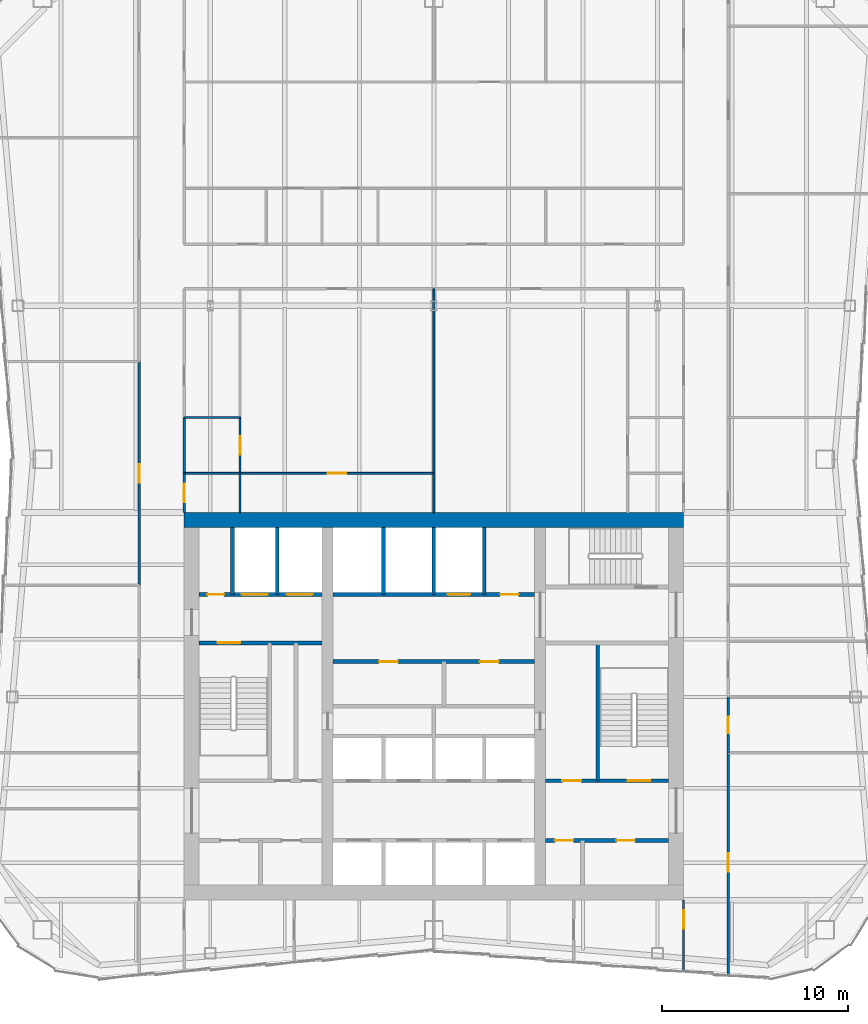
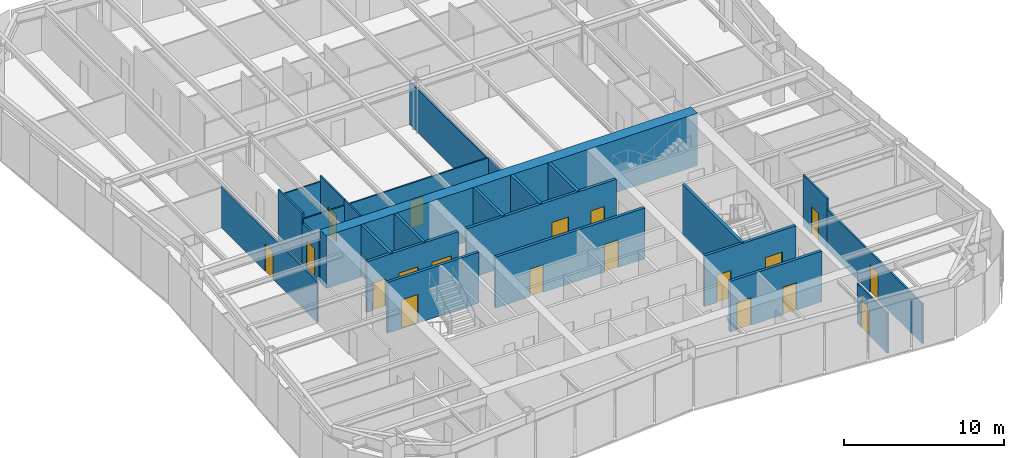
# One storey, part 7 of 12: 26 walls, 19 doors, 19 openings.
"""IFC4 building model written with IfcOpenShell, lengths in metres."""

import ifcopenshell
import ifcopenshell.guid

model = None  # the IFC model being written
_history = None  # IfcOwnerHistory: only IFC2X3 demands one
_inside = {}  # id of a spatial element -> (the spatial element, [elements in it])
_under = {}  # id of a project, library or spatial element -> (it, [spatial elements below it])
_declared = {}  # id of a project -> (the project, [libraries it declares])
_typed = {}  # id of a type object -> (the type object, [elements of that type])
_made_of = {}  # id of a material, layer set ... -> (it, [elements and type objects made of it])


def new_model(schema):
    """Start an empty IFC model of exactly this schema.

    Asked for "IFC4X3", IfcOpenShell would pick the latest addendum, in which some entities
    have other attributes; the version numbers below select the first issue.
    IFC2X3 requires an IfcOwnerHistory on every rooted entity: one is made here for all.
    """
    global model, _history
    if schema == "IFC4X3":
        model = ifcopenshell.file(schema_version=(4, 3, 0, 0))
    else:
        model = ifcopenshell.file(schema=schema)
    _inside.clear()
    _under.clear()
    _declared.clear()
    _typed.clear()
    _made_of.clear()
    _history = None
    if model.schema == "IFC2X3":
        org = make("IfcOrganization", Name="unknown")
        user = make(
            "IfcPersonAndOrganization",
            ThePerson=make("IfcPerson", FamilyName="unknown"),
            TheOrganization=org,
        )
        app = make(
            "IfcApplication",
            ApplicationDeveloper=org,
            Version="unknown",
            ApplicationFullName="unknown",
            ApplicationIdentifier="unknown",
        )
        _history = make(
            "IfcOwnerHistory",
            OwningUser=user,
            OwningApplication=app,
            ChangeAction="ADDED",
            CreationDate=0,
        )
    return model


def make(cls, **values):
    """One entity of the class cls with the attributes given. An attribute that is None is left unset."""
    return model.create_entity(
        cls, **{name: value for name, value in values.items() if value is not None}
    )


def rooted(cls, **values):
    """An entity with a GlobalId (a new one), such as an element, a storey or a relation."""
    return make(cls, GlobalId=ifcopenshell.guid.new(), OwnerHistory=_history, **values)


def si_unit(unit_type, name, prefix=None):
    """IfcSIUnit, for example si_unit("LENGTHUNIT", "METRE", prefix="MILLI")."""
    return make("IfcSIUnit", UnitType=unit_type, Prefix=prefix, Name=name)


def assignment(units):
    """IfcUnitAssignment: the units of a project."""
    return None if units is None else make("IfcUnitAssignment", Units=units)


def point(xyz):
    """IfcCartesianPoint."""
    return None if xyz is None else make("IfcCartesianPoint", Coordinates=xyz)


def direction(xyz):
    """IfcDirection."""
    return None if xyz is None else make("IfcDirection", DirectionRatios=xyz)


def frame(location, z_axis=None, x_axis=None):
    """IfcAxis2Placement3D, a coordinate frame: its origin and axes. An axis left out is left unset."""
    return make(
        "IfcAxis2Placement3D",
        Location=point(location),
        Axis=direction(z_axis),
        RefDirection=direction(x_axis),
    )


def frame_2d(location, x_axis=None):
    """IfcAxis2Placement2D, a coordinate frame in the plane: its origin and x axis."""
    return make(
        "IfcAxis2Placement2D", Location=point(location), RefDirection=direction(x_axis)
    )


def origin():
    """The frame at (0, 0, 0) with its axes left unset."""
    return frame((0.0, 0.0, 0.0))


def place(relative_to, where):
    """IfcLocalPlacement: puts the frame where relative to a parent placement (None: the world)."""
    return make(
        "IfcLocalPlacement", PlacementRelTo=relative_to, RelativePlacement=where
    )


def context(
    kind, dimensions, precision=None, world=None, true_north=None, identifier=None
):
    """IfcGeometricRepresentationContext, for example the 3D "Model" context."""
    return make(
        "IfcGeometricRepresentationContext",
        ContextIdentifier=identifier,
        ContextType=kind,
        CoordinateSpaceDimension=dimensions,
        Precision=precision,
        WorldCoordinateSystem=world,
        TrueNorth=true_north,
    )


def subcontext(parent, identifier, kind, view, scale=None):
    """IfcGeometricRepresentationSubContext, for example "Body" below "Model"."""
    return make(
        "IfcGeometricRepresentationSubContext",
        ContextIdentifier=identifier,
        ContextType=kind,
        ParentContext=parent,
        TargetScale=scale,
        TargetView=view,
    )


def project(units=None, contexts=None):
    """IfcProject with its units and contexts."""
    return rooted(
        "IfcProject",
        Name="project",
        RepresentationContexts=contexts,
        UnitsInContext=assignment(units),
    )


def spatial(cls, under=None, at=None, **own):
    """A site, building, storey or space (cls), placed at a placement, below another one or the project."""
    s = rooted(cls, ObjectPlacement=at, **own)
    if under is not None:
        _under.setdefault(under.id(), (under, []))[1].append(s)
    return s


def profile(cls, at=None, kind="AREA", **sizes):
    """A parametric profile (cls). Its sizes go by their IFC names, for example OverallWidth=200.0."""
    return make(cls, ProfileType=kind, Position=at, **sizes)


def rectangle(**sizes):
    """IfcRectangleProfileDef."""
    return profile("IfcRectangleProfileDef", **sizes)


def extrude(swept, where, along, depth):
    """IfcExtrudedAreaSolid: the profile swept, set in the frame where, extruded along a direction by depth."""
    return make(
        "IfcExtrudedAreaSolid",
        SweptArea=swept,
        Position=where,
        ExtrudedDirection=direction(along),
        Depth=depth,
    )


def shape(context_of_items, identifier, shape_type, items):
    """IfcShapeRepresentation: the items that make up one representation, for example the "Body"."""
    return make(
        "IfcShapeRepresentation",
        ContextOfItems=context_of_items,
        RepresentationIdentifier=identifier,
        RepresentationType=shape_type,
        Items=items,
    )


def material(Name=None, Category=None):
    """IfcMaterial."""
    return make("IfcMaterial", Name=Name, Category=Category)


def layer(
    of_material, thickness, ventilated=None, Name=None, Category=None, Priority=None
):
    """IfcMaterialLayer: one layer of a wall or slab, of a material (None: an air gap)."""
    return make(
        "IfcMaterialLayer",
        Material=of_material,
        LayerThickness=thickness,
        IsVentilated=ventilated,
        Name=Name,
        Category=Category,
        Priority=Priority,
    )


def layer_set(layers, Name=None):
    """IfcMaterialLayerSet."""
    return make("IfcMaterialLayerSet", MaterialLayers=layers, LayerSetName=Name)


def made_of(thing, what):
    """Note that an element or type object is made of a material, layer set ...; save() writes the relation."""
    if what is not None:
        _made_of.setdefault(what.id(), (what, []))[1].append(thing)
    return thing


def type_object(cls, material=None, **own):
    """A type object (cls), such as IfcWallType, which elements share."""
    return made_of(rooted(cls, **own), material)


def element(
    cls,
    number,
    at=None,
    inside=None,
    cuts=None,
    type_object=None,
    material=None,
    context=None,
    identifier="Body",
    shape_type=None,
    held_by="IfcProductDefinitionShape",
    body=None,
    shapes=None,
    **own,
):
    """One element of the class cls, such as IfcWall. Its Tag is "e" and its number.

    at: its placement. inside: the storey or other place that contains it. cuts: it is an
    opening in that element (IfcRelVoidsElement). A single representation is given by context,
    identifier, shape_type and body (its items); several are given by shapes. held_by: the class
    of the entity that holds the representations. save() writes the other relations.
    """
    e = rooted(cls, Tag="e%d" % number, ObjectPlacement=at, **own)
    if body is not None:
        shapes = [shape(context, identifier, shape_type, body)]
    if shapes is not None:
        e.Representation = make(held_by, Representations=shapes)
    if inside is not None:
        _inside.setdefault(inside.id(), (inside, []))[1].append(e)
    if cuts is not None:
        rooted(
            "IfcRelVoidsElement", RelatingBuildingElement=cuts, RelatedOpeningElement=e
        )
    if type_object is not None:
        _typed.setdefault(type_object.id(), (type_object, []))[1].append(e)
    return made_of(e, material)


def fill(opening, filler):
    """IfcRelFillsElement: the door or window that sits in an opening."""
    return rooted(
        "IfcRelFillsElement",
        RelatingOpeningElement=opening,
        RelatedBuildingElement=filler,
    )


def aggregate(whole, parts):
    """IfcRelAggregates: a whole, such as a stair, and the parts it consists of."""
    return rooted("IfcRelAggregates", RelatingObject=whole, RelatedObjects=parts)


def save(model, path):
    """Write the relations noted so far, then the file.

    IfcRelAggregates (storeys below a building ...), IfcRelContainedInSpatialStructure (elements
    in a storey), IfcRelDefinesByType, IfcRelAssociatesMaterial and IfcRelDeclares: one each for
    every whole, place, type object, material and project.
    """
    for whole, parts in _under.values():
        aggregate(whole, parts)
    for where, things in _inside.values():
        rooted(
            "IfcRelContainedInSpatialStructure",
            RelatedElements=things,
            RelatingStructure=where,
        )
    for kind, things in _typed.values():
        rooted("IfcRelDefinesByType", RelatedObjects=things, RelatingType=kind)
    for what, things in _made_of.values():
        rooted("IfcRelAssociatesMaterial", RelatedObjects=things, RelatingMaterial=what)
    for by, libraries in _declared.values():
        rooted("IfcRelDeclares", RelatingContext=by, RelatedDefinitions=libraries)
    model.write(path)


model = new_model("IFC4")

# Units and contexts
model_context = context("Model", 3, precision=1e-05, world=origin(), true_north=direction((0.0, 1.0)))
body_context = subcontext(model_context, "Body", "Model", "MODEL_VIEW")
ifc_project = project(units=[si_unit("LENGTHUNIT", "METRE"), si_unit("AREAUNIT", "SQUARE_METRE"), si_unit("VOLUMEUNIT", "CUBIC_METRE"), si_unit("PLANEANGLEUNIT", "RADIAN"), si_unit("MASSUNIT", "GRAM", prefix="KILO")], contexts=[model_context])

# Site, building, storey
site_placement = place(None, origin())
site = spatial("IfcSite", under=ifc_project, at=site_placement, CompositionType="ELEMENT")
building_placement = place(site_placement, origin())
building = spatial("IfcBuilding", under=site, at=building_placement, Name="Verdant Reach Tower", CompositionType="ELEMENT")
storey_placement = place(building_placement, frame((0.0, 0.0, 242.0)))
storey = spatial("IfcBuildingStorey", under=building, at=storey_placement, Name="L55", CompositionType="ELEMENT", Elevation=242.0)

# Wall, openings, doors
ifc_material_1 = material(Name="Gypsum board on steel studs", Category="steel")
ifc_layer_1 = layer(ifc_material_1, 0.199951171875)
ifc_layer_set_1 = layer_set([ifc_layer_1], Name="CO-WALL-ROOM")
wall_type_1 = type_object("IfcWallType", Name="CO-WALL-ROOM", PredefinedType="PARTITIONING", material=ifc_layer_set_1)
wall_1_placement = place(storey_placement, frame((6.0, 20.800048828125, 0.0), z_axis=(0.0, 0.0, 1.0), x_axis=(1.0, 0.0, 0.0)))
wall_1 = element("IfcWall", 1, at=wall_1_placement, inside=storey, type_object=wall_type_1, Name="Core partition, L55", PredefinedType="PARTITIONING", context=body_context, shape_type="SweptSolid", body=[
    extrude(rectangle(XDim=6.60009765625, YDim=0.199951171875, at=frame_2d((3.300048828125, 0.0))), origin(), (0.0, 0.0, 1.0), 3.8701171875),
])
opening_1_placement = place(wall_1_placement, frame((0.489990234375, 0.0, 0.0)))
opening_1 = element("IfcOpeningElement", 2, at=opening_1_placement, cuts=wall_1, Name="Opening CD", PredefinedType="OPENING", context=body_context, shape_type="SweptSolid", body=[
    extrude(rectangle(XDim=1.0, YDim=2.10009765625, at=frame_2d((0.5, 1.050048828125))), frame((0.0, 0.10986328125, 0.0), z_axis=(0.0, -1.0, 0.0), x_axis=(1.0, 0.0, 0.0)), (0.0, 0.0, 1.0), 0.219970703125),
])
opening_2_placement = place(wall_1_placement, frame((3.7900390625, 0.0, 0.0)))
opening_2 = element("IfcOpeningElement", 3, at=opening_2_placement, cuts=wall_1, Name="Opening CD", PredefinedType="OPENING", context=body_context, shape_type="SweptSolid", body=[
    extrude(rectangle(XDim=1.0, YDim=2.10009765625, at=frame_2d((0.5, 1.050048828125))), frame((0.0, 0.10986328125, 0.0), z_axis=(0.0, -1.0, 0.0), x_axis=(1.0, 0.0, 0.0)), (0.0, 0.0, 1.0), 0.219970703125),
])
ifc_material_2 = material(Name="Timber", Category="wood")
door_type_1 = type_object("IfcDoorType", Name="CO-DOOR-ROOM", OperationType="NOTDEFINED", PredefinedType="DOOR", material=ifc_material_2)
door_1_placement = place(opening_1_placement, origin())
door_1 = element("IfcDoor", 4, at=door_1_placement, inside=storey, type_object=door_type_1, Name="Core room door, L55", OperationType="SINGLE_SWING_RIGHT", OverallHeight=2.10009765625, OverallWidth=1.0, PredefinedType="DOOR", context=body_context, shape_type="SweptSolid", body=[
    extrude(rectangle(XDim=1.0, YDim=2.10009765625, at=frame_2d((0.5, 1.050048828125))), frame((0.0, 0.02490234375, 0.0), z_axis=(0.0, -1.0, 0.0), x_axis=(1.0, 0.0, 0.0)), (0.0, 0.0, 1.0), 0.050048828125),
])
fill(opening_1, door_1)
door_2_placement = place(opening_2_placement, origin())
door_2 = element("IfcDoor", 5, at=door_2_placement, inside=storey, type_object=door_type_1, Name="Core room door, L55", OperationType="SINGLE_SWING_RIGHT", OverallHeight=2.10009765625, OverallWidth=1.0, PredefinedType="DOOR", context=body_context, shape_type="SweptSolid", body=[
    extrude(rectangle(XDim=1.0, YDim=2.10009765625, at=frame_2d((0.5, 1.050048828125))), frame((0.0, 0.02490234375, 0.0), z_axis=(0.0, -1.0, 0.0), x_axis=(1.0, 0.0, 0.0)), (0.0, 0.0, 1.0), 0.050048828125),
])
fill(opening_2, door_2)

wall_2_placement = place(storey_placement, frame((-5.39990234375, 30.39990234375, 0.0), z_axis=(0.0, 0.0, 1.0), x_axis=(1.0, 0.0, 0.0)))
wall_2 = element("IfcWall", 6, at=wall_2_placement, inside=storey, type_object=wall_type_1, Name="Core partition, L55", PredefinedType="PARTITIONING", context=body_context, shape_type="SweptSolid", body=[
    extrude(rectangle(XDim=10.7998046875, YDim=0.199951171875, at=frame_2d((5.39990234375, 0.0))), origin(), (0.0, 0.0, 1.0), 3.8701171875),
])
opening_3_placement = place(wall_2_placement, frame((2.469970703125, 0.0, 0.0)))
opening_3 = element("IfcOpeningElement", 7, at=opening_3_placement, cuts=wall_2, Name="Opening CD", PredefinedType="OPENING", context=body_context, shape_type="SweptSolid", body=[
    extrude(rectangle(XDim=1.0, YDim=2.10009765625, at=frame_2d((0.5, 1.050048828125))), frame((0.0, 0.10986328125, 0.0), z_axis=(0.0, -1.0, 0.0), x_axis=(1.0, 0.0, 0.0)), (0.0, 0.0, 1.0), 0.219970703125),
])
opening_4_placement = place(wall_2_placement, frame((7.8701171875, 0.0, 0.0)))
opening_4 = element("IfcOpeningElement", 8, at=opening_4_placement, cuts=wall_2, Name="Opening CD", PredefinedType="OPENING", context=body_context, shape_type="SweptSolid", body=[
    extrude(rectangle(XDim=1.0, YDim=2.10009765625, at=frame_2d((0.5, 1.050048828125))), frame((0.0, 0.10986328125, 0.0), z_axis=(0.0, -1.0, 0.0), x_axis=(1.0, 0.0, 0.0)), (0.0, 0.0, 1.0), 0.219970703125),
])
door_3_placement = place(opening_3_placement, origin())
door_3 = element("IfcDoor", 9, at=door_3_placement, inside=storey, type_object=door_type_1, Name="Core room door, L55", OperationType="SINGLE_SWING_RIGHT", OverallHeight=2.10009765625, OverallWidth=1.0, PredefinedType="DOOR", context=body_context, shape_type="SweptSolid", body=[
    extrude(rectangle(XDim=1.0, YDim=2.10009765625, at=frame_2d((0.5, 1.050048828125))), frame((0.0, 0.02490234375, 0.0), z_axis=(0.0, -1.0, 0.0), x_axis=(1.0, 0.0, 0.0)), (0.0, 0.0, 1.0), 0.050048828125),
])
fill(opening_3, door_3)
door_4_placement = place(opening_4_placement, origin())
door_4 = element("IfcDoor", 10, at=door_4_placement, inside=storey, type_object=door_type_1, Name="Core room door, L55", OperationType="SINGLE_SWING_LEFT", OverallHeight=2.10009765625, OverallWidth=1.0, PredefinedType="DOOR", context=body_context, shape_type="SweptSolid", body=[
    extrude(rectangle(XDim=1.0, YDim=2.10009765625, at=frame_2d((0.5, 1.050048828125))), frame((0.0, 0.02490234375, 0.0), z_axis=(0.0, -1.0, 0.0), x_axis=(1.0, 0.0, 0.0)), (0.0, 0.0, 1.0), 0.050048828125),
])
fill(opening_4, door_4)

ifc_material_3 = material(Name="Concrete C40/50", Category="concrete")
ifc_layer_2 = layer(ifc_material_3, 0.199951171875)
ifc_layer_set_2 = layer_set([ifc_layer_2], Name="CO-WALL-SHAFT")
wall_type_2 = type_object("IfcWallType", Name="CO-WALL-SHAFT", PredefinedType="PARTITIONING", material=ifc_layer_set_2)
wall_3_placement = place(storey_placement, frame((-12.60009765625, 34.0, 0.0), z_axis=(0.0, 0.0, 1.0), x_axis=(1.0, 0.0, 0.0)))
wall_3 = element("IfcWall", 11, at=wall_3_placement, inside=storey, type_object=wall_type_2, Name="Lift shaft wall, L55", PredefinedType="PARTITIONING", context=body_context, shape_type="SweptSolid", body=[
    extrude(rectangle(XDim=6.60009765625, YDim=0.199951171875, at=frame_2d((3.300048828125, 0.0))), origin(), (0.0, 0.0, 1.0), 3.8701171875),
])
opening_5_placement = place(wall_3_placement, frame((4.699951171875, 0.0, 0.0)))
opening_5 = element("IfcOpeningElement", 12, at=opening_5_placement, cuts=wall_3, Name="Opening LD-F1", PredefinedType="OPENING", context=body_context, shape_type="SweptSolid", body=[
    extrude(rectangle(XDim=1.39990234375, YDim=2.199951171875, at=frame_2d((0.699951171875, 1.10009765625))), frame((0.0, 0.10986328125, 0.0), z_axis=(0.0, -1.0, 0.0), x_axis=(1.0, 0.0, 0.0)), (0.0, 0.0, 1.0), 0.219970703125),
])
opening_6_placement = place(wall_3_placement, frame((2.300048828125, 0.0, 0.0)))
opening_6 = element("IfcOpeningElement", 13, at=opening_6_placement, cuts=wall_3, Name="Opening LD-F2", PredefinedType="OPENING", context=body_context, shape_type="SweptSolid", body=[
    extrude(rectangle(XDim=1.39990234375, YDim=2.199951171875, at=frame_2d((0.699951171875, 1.10009765625))), frame((0.0, 0.10986328125, 0.0), z_axis=(0.0, -1.0, 0.0), x_axis=(1.0, 0.0, 0.0)), (0.0, 0.0, 1.0), 0.219970703125),
])
opening_7_placement = place(wall_3_placement, frame((0.449951171875, 0.0, 0.0)))
opening_7 = element("IfcOpeningElement", 14, at=opening_7_placement, cuts=wall_3, Name="Opening RD", PredefinedType="OPENING", context=body_context, shape_type="SweptSolid", body=[
    extrude(rectangle(XDim=0.89990234375, YDim=2.10009765625, at=frame_2d((0.449951171875, 1.050048828125))), frame((0.0, 0.10986328125, 0.0), z_axis=(0.0, -1.0, 0.0), x_axis=(1.0, 0.0, 0.0)), (0.0, 0.0, 1.0), 0.219970703125),
])
ifc_material_4 = material(Name="Stainless steel", Category="steel")
door_type_2 = type_object("IfcDoorType", Name="CO-DOOR-LANDING-FF", OperationType="SLIDING_TO_LEFT", PredefinedType="DOOR", material=ifc_material_4)
door_5_placement = place(opening_5_placement, origin())
door_5 = element("IfcDoor", 15, at=door_5_placement, inside=storey, type_object=door_type_2, Name="Landing door F1, L55", OperationType="SLIDING_TO_LEFT", OverallHeight=2.199951171875, OverallWidth=1.39990234375, PredefinedType="DOOR", context=body_context, shape_type="SweptSolid", body=[
    extrude(rectangle(XDim=1.39990234375, YDim=2.199951171875, at=frame_2d((0.699951171875, 1.10009765625))), frame((0.0, 0.02490234375, 0.0), z_axis=(0.0, -1.0, 0.0), x_axis=(1.0, 0.0, 0.0)), (0.0, 0.0, 1.0), 0.050048828125),
])
fill(opening_5, door_5)
door_6_placement = place(opening_6_placement, origin())
door_6 = element("IfcDoor", 16, at=door_6_placement, inside=storey, type_object=door_type_2, Name="Landing door F2, L55", OperationType="SLIDING_TO_LEFT", OverallHeight=2.199951171875, OverallWidth=1.39990234375, PredefinedType="DOOR", context=body_context, shape_type="SweptSolid", body=[
    extrude(rectangle(XDim=1.39990234375, YDim=2.199951171875, at=frame_2d((0.699951171875, 1.10009765625))), frame((0.0, 0.02490234375, 0.0), z_axis=(0.0, -1.0, 0.0), x_axis=(1.0, 0.0, 0.0)), (0.0, 0.0, 1.0), 0.050048828125),
])
fill(opening_6, door_6)
ifc_material_5 = material(Name="Steel", Category="steel")
door_type_3 = type_object("IfcDoorType", Name="CO-DOOR-RISER", OperationType="NOTDEFINED", PredefinedType="DOOR", material=ifc_material_5)
door_7_placement = place(opening_7_placement, origin())
door_7 = element("IfcDoor", 17, at=door_7_placement, inside=storey, type_object=door_type_3, Name="Core room door, L55", OperationType="SINGLE_SWING_RIGHT", OverallHeight=2.10009765625, OverallWidth=0.89990234375, PredefinedType="DOOR", context=body_context, shape_type="SweptSolid", body=[
    extrude(rectangle(XDim=0.89990234375, YDim=2.10009765625, at=frame_2d((0.449951171875, 1.050048828125))), frame((0.0, 0.02490234375, 0.0), z_axis=(0.0, -1.0, 0.0), x_axis=(1.0, 0.0, 0.0)), (0.0, 0.0, 1.0), 0.050048828125),
])
fill(opening_7, door_7)

wall_4_placement = place(storey_placement, frame((-5.39990234375, 34.0, 0.0), z_axis=(0.0, 0.0, 1.0), x_axis=(1.0, 0.0, 0.0)))
wall_4 = element("IfcWall", 18, at=wall_4_placement, inside=storey, type_object=wall_type_2, Name="Lift shaft wall, L55", PredefinedType="PARTITIONING", context=body_context, shape_type="SweptSolid", body=[
    extrude(rectangle(XDim=10.7998046875, YDim=0.199951171875, at=frame_2d((5.39990234375, 0.0))), origin(), (0.0, 0.0, 1.0), 3.8701171875),
])
opening_8_placement = place(wall_4_placement, frame((6.14990234375, 0.0, 0.0)))
opening_8 = element("IfcOpeningElement", 19, at=opening_8_placement, cuts=wall_4, Name="Opening LD-SL1", PredefinedType="OPENING", context=body_context, shape_type="SweptSolid", body=[
    extrude(rectangle(XDim=1.199951171875, YDim=2.199951171875, at=frame_2d((0.60009765625, 1.10009765625))), frame((0.0, 0.10986328125, 0.0), z_axis=(0.0, -1.0, 0.0), x_axis=(1.0, 0.0, 0.0)), (0.0, 0.0, 1.0), 0.219970703125),
])
opening_9_placement = place(wall_4_placement, frame((8.949951171875, 0.0, 0.0)))
opening_9 = element("IfcOpeningElement", 20, at=opening_9_placement, cuts=wall_4, Name="Opening CD", PredefinedType="OPENING", context=body_context, shape_type="SweptSolid", body=[
    extrude(rectangle(XDim=1.0, YDim=2.10009765625, at=frame_2d((0.5, 1.050048828125))), frame((0.0, 0.10986328125, 0.0), z_axis=(0.0, -1.0, 0.0), x_axis=(1.0, 0.0, 0.0)), (0.0, 0.0, 1.0), 0.219970703125),
])
door_type_4 = type_object("IfcDoorType", Name="CO-DOOR-LANDING", OperationType="SLIDING_TO_LEFT", PredefinedType="DOOR", material=ifc_material_4)
door_8_placement = place(opening_8_placement, origin())
door_8 = element("IfcDoor", 21, at=door_8_placement, inside=storey, type_object=door_type_4, Name="Landing door SL1, L55", OperationType="SLIDING_TO_LEFT", OverallHeight=2.199951171875, OverallWidth=1.199951171875, PredefinedType="DOOR", context=body_context, shape_type="SweptSolid", body=[
    extrude(rectangle(XDim=1.199951171875, YDim=2.199951171875, at=frame_2d((0.60009765625, 1.10009765625))), frame((0.0, 0.02490234375, 0.0), z_axis=(0.0, -1.0, 0.0), x_axis=(1.0, 0.0, 0.0)), (0.0, 0.0, 1.0), 0.050048828125),
])
fill(opening_8, door_8)
door_9_placement = place(opening_9_placement, origin())
door_9 = element("IfcDoor", 22, at=door_9_placement, inside=storey, type_object=door_type_1, Name="Core room door, L55", OperationType="SINGLE_SWING_LEFT", OverallHeight=2.10009765625, OverallWidth=1.0, PredefinedType="DOOR", context=body_context, shape_type="SweptSolid", body=[
    extrude(rectangle(XDim=1.0, YDim=2.10009765625, at=frame_2d((0.5, 1.050048828125))), frame((0.0, 0.02490234375, 0.0), z_axis=(0.0, -1.0, 0.0), x_axis=(1.0, 0.0, 0.0)), (0.0, 0.0, 1.0), 0.050048828125),
])
fill(opening_9, door_9)

# Walls
for number, where, z_axis, x_axis, name in (
    (23, (-10.800048828125, 34.0, 0.0), (0.0, 0.0, 1.0), (0.0, 1.0, 0.0), "Lift shaft wall, L55"),
    (24, (-8.39990234375, 34.0, 0.0), (0.0, 0.0, 1.0), (0.0, 1.0, 0.0), "Lift shaft wall, L55"),
    (25, (-2.699951171875, 34.0, 0.0), (0.0, 0.0, 1.0), (0.0, 1.0, 0.0), "Lift shaft wall, L55"),
    (26, (0.0, 34.0, 0.0), (0.0, 0.0, 1.0), (0.0, 1.0, 0.0), "Lift shaft wall, L55"),
    (27, (2.699951171875, 34.0, 0.0), (0.0, 0.0, 1.0), (0.0, 1.0, 0.0), "Lift shaft wall, L55"),
):
    element("IfcWall", number, at=place(storey_placement, frame(where, z_axis=z_axis, x_axis=x_axis)), inside=storey, type_object=wall_type_2, Name=name, PredefinedType="PARTITIONING", context=body_context, shape_type="SweptSolid", body=[
        extrude(rectangle(XDim=3.60009765625, YDim=0.199951171875, at=frame_2d((1.800048828125, 0.0))), origin(), (0.0, 0.0, 1.0), 3.8701171875),
    ])

# Wall, openings, doors
ifc_layer_3 = layer(ifc_material_3, 0.199951171875)
ifc_layer_set_3 = layer_set([ifc_layer_3], Name="CO-WALL-STAIR")
wall_type_3 = type_object("IfcWallType", Name="CO-WALL-STAIR", PredefinedType="PARTITIONING", material=ifc_layer_set_3)
wall_5_placement = place(storey_placement, frame((6.0, 24.0, 0.0), z_axis=(0.0, 0.0, 1.0), x_axis=(1.0, 0.0, 0.0)))
wall_5 = element("IfcWall", 28, at=wall_5_placement, inside=storey, type_object=wall_type_3, Name="Stair enclosure wall, L55", PredefinedType="PARTITIONING", context=body_context, shape_type="SweptSolid", body=[
    extrude(rectangle(XDim=6.60009765625, YDim=0.199951171875, at=frame_2d((3.300048828125, 0.0))), origin(), (0.0, 0.0, 1.0), 3.8701171875),
])
opening_10_placement = place(wall_5_placement, frame((0.89990234375, 0.0, 0.0)))
opening_10 = element("IfcOpeningElement", 29, at=opening_10_placement, cuts=wall_5, Name="Opening CD", PredefinedType="OPENING", context=body_context, shape_type="SweptSolid", body=[
    extrude(rectangle(XDim=1.0, YDim=2.10009765625, at=frame_2d((0.5, 1.050048828125))), frame((0.0, 0.10986328125, 0.0), z_axis=(0.0, -1.0, 0.0), x_axis=(1.0, 0.0, 0.0)), (0.0, 0.0, 1.0), 0.219970703125),
])
opening_11_placement = place(wall_5_placement, frame((4.39990234375, 0.0, 0.0)))
opening_11 = element("IfcOpeningElement", 30, at=opening_11_placement, cuts=wall_5, Name="Opening SD", PredefinedType="OPENING", context=body_context, shape_type="SweptSolid", body=[
    extrude(rectangle(XDim=1.199951171875, YDim=2.199951171875, at=frame_2d((0.60009765625, 1.10009765625))), frame((0.0, 0.10986328125, 0.0), z_axis=(0.0, -1.0, 0.0), x_axis=(1.0, 0.0, 0.0)), (0.0, 0.0, 1.0), 0.219970703125),
])
door_10_placement = place(opening_10_placement, origin())
door_10 = element("IfcDoor", 31, at=door_10_placement, inside=storey, type_object=door_type_1, Name="Core room door, L55", OperationType="SINGLE_SWING_RIGHT", OverallHeight=2.10009765625, OverallWidth=1.0, PredefinedType="DOOR", context=body_context, shape_type="SweptSolid", body=[
    extrude(rectangle(XDim=1.0, YDim=2.10009765625, at=frame_2d((0.5, 1.050048828125))), frame((0.0, 0.02490234375, 0.0), z_axis=(0.0, -1.0, 0.0), x_axis=(1.0, 0.0, 0.0)), (0.0, 0.0, 1.0), 0.050048828125),
])
fill(opening_10, door_10)
door_type_5 = type_object("IfcDoorType", Name="CO-DOOR-STAIR", OperationType="NOTDEFINED", PredefinedType="DOOR", material=ifc_material_5)
door_11_placement = place(opening_11_placement, origin())
door_11 = element("IfcDoor", 32, at=door_11_placement, inside=storey, type_object=door_type_5, Name="Stair door, L55", OperationType="SINGLE_SWING_LEFT", OverallHeight=2.199951171875, OverallWidth=1.199951171875, PredefinedType="DOOR", context=body_context, shape_type="SweptSolid", body=[
    extrude(rectangle(XDim=1.199951171875, YDim=2.199951171875, at=frame_2d((0.60009765625, 1.10009765625))), frame((0.0, 0.02490234375, 0.0), z_axis=(0.0, -1.0, 0.0), x_axis=(1.0, 0.0, 0.0)), (0.0, 0.0, 1.0), 0.050048828125),
])
fill(opening_11, door_11)

# Wall, opening, door
wall_6_placement = place(storey_placement, frame((-12.60009765625, 31.39990234375, 0.0), z_axis=(0.0, 0.0, 1.0), x_axis=(1.0, 0.0, 0.0)))
wall_6 = element("IfcWall", 33, at=wall_6_placement, inside=storey, type_object=wall_type_3, Name="Stair enclosure wall, L55", PredefinedType="PARTITIONING", context=body_context, shape_type="SweptSolid", body=[
    extrude(rectangle(XDim=6.60009765625, YDim=0.199951171875, at=frame_2d((3.300048828125, 0.0))), origin(), (0.0, 0.0, 1.0), 3.8701171875),
])
opening_12_placement = place(wall_6_placement, frame((1.0, 0.0, 0.0)))
opening_12 = element("IfcOpeningElement", 34, at=opening_12_placement, cuts=wall_6, Name="Opening SD", PredefinedType="OPENING", context=body_context, shape_type="SweptSolid", body=[
    extrude(rectangle(XDim=1.199951171875, YDim=2.199951171875, at=frame_2d((0.60009765625, 1.10009765625))), frame((0.0, 0.10986328125, 0.0), z_axis=(0.0, -1.0, 0.0), x_axis=(1.0, 0.0, 0.0)), (0.0, 0.0, 1.0), 0.219970703125),
])
door_12_placement = place(opening_12_placement, origin())
door_12 = element("IfcDoor", 35, at=door_12_placement, inside=storey, type_object=door_type_5, Name="Stair door, L55", OperationType="SINGLE_SWING_RIGHT", OverallHeight=2.199951171875, OverallWidth=1.199951171875, PredefinedType="DOOR", context=body_context, shape_type="SweptSolid", body=[
    extrude(rectangle(XDim=1.199951171875, YDim=2.199951171875, at=frame_2d((0.60009765625, 1.10009765625))), frame((0.0, 0.02490234375, 0.0), z_axis=(0.0, -1.0, 0.0), x_axis=(1.0, 0.0, 0.0)), (0.0, 0.0, 1.0), 0.050048828125),
])
fill(opening_12, door_12)

# Walls
wall_7_placement = place(storey_placement, frame((8.800048828125, 24.0, 0.0), z_axis=(0.0, 0.0, 1.0), x_axis=(0.0, 1.0, 0.0)))
element("IfcWall", 36, at=wall_7_placement, inside=storey, type_object=wall_type_3, Name="Stair enclosure wall, L55", PredefinedType="PARTITIONING", context=body_context, shape_type="SweptSolid", body=[
    extrude(rectangle(XDim=7.39990234375, YDim=0.199951171875, at=frame_2d((3.699951171875, 0.0))), origin(), (0.0, 0.0, 1.0), 3.8701171875),
])
ifc_layer_4 = layer(ifc_material_1, 0.10009765625)
ifc_layer_set_4 = layer_set([ifc_layer_4], Name="FL-W1 Partition 100")
wall_type_4 = type_object("IfcWallType", Name="FL-W1 Partition 100", PredefinedType="PARTITIONING", material=ifc_layer_set_4)
wall_8_placement = place(storey_placement, frame((-10.39990234375, 40.5, 0.0), z_axis=(0.0, 0.0, 1.0), x_axis=(-1.0, 0.0, 0.0)))
element("IfcWall", 37, at=wall_8_placement, inside=storey, type_object=wall_type_4, Name="Partition 55.53", PredefinedType="PARTITIONING", context=body_context, shape_type="SweptSolid", body=[
    extrude(rectangle(XDim=3.0, YDim=0.10009765625, at=frame_2d((1.5, 0.0))), origin(), (0.0, 0.0, 1.0), 3.43994140625),
])
wall_9_placement = place(storey_placement, frame((-10.39990234375, 38.39990234375, 0.0), z_axis=(0.0, 0.0, 1.0), x_axis=(0.0, 1.0, 0.0)))
element("IfcWall", 38, at=wall_9_placement, inside=storey, type_object=wall_type_4, Name="Partition 55.54", PredefinedType="PARTITIONING", context=body_context, shape_type="SweptSolid", body=[
    extrude(rectangle(XDim=2.10009765625, YDim=0.10009765625, at=frame_2d((1.050048828125, 0.0))), origin(), (0.0, 0.0, 1.0), 3.8701171875),
])
wall_10_placement = place(storey_placement, frame((-10.39990234375, 43.5, 0.0), z_axis=(0.0, 0.0, 1.0), x_axis=(-1.0, 0.0, 0.0)))
element("IfcWall", 39, at=wall_10_placement, inside=storey, type_object=wall_type_4, Name="Partition 55.55", PredefinedType="PARTITIONING", context=body_context, shape_type="SweptSolid", body=[
    extrude(rectangle(XDim=3.0, YDim=0.10009765625, at=frame_2d((1.5, 0.0))), origin(), (0.0, 0.0, 1.0), 3.43994140625),
])

# Wall, opening, door
wall_11_placement = place(storey_placement, frame((-10.39990234375, 40.5, 0.0), z_axis=(0.0, 0.0, 1.0), x_axis=(0.0, 1.0, 0.0)))
wall_11 = element("IfcWall", 40, at=wall_11_placement, inside=storey, type_object=wall_type_4, Name="Partition 55.56", PredefinedType="PARTITIONING", context=body_context, shape_type="SweptSolid", body=[
    extrude(rectangle(XDim=3.00390625, YDim=0.10009765625, at=frame_2d((1.501953125, 0.0))), origin(), (0.0, 0.0, 1.0), 3.8701171875),
])
opening_13_placement = place(wall_11_placement, frame((1.001953125, 0.0, 0.0)))
opening_13 = element("IfcOpeningElement", 41, at=opening_13_placement, cuts=wall_11, Name="Opening D3", PredefinedType="OPENING", context=body_context, shape_type="SweptSolid", body=[
    extrude(rectangle(XDim=1.0, YDim=2.10009765625, at=frame_2d((0.5, 1.050048828125))), frame((0.0, 0.06005859375, 0.0), z_axis=(0.0, -1.0, 0.0), x_axis=(1.0, 0.0, 0.0)), (0.0, 0.0, 1.0), 0.1201171875),
])
ifc_material_6 = material(Name="Painted timber door leaf", Category="wood")
door_type_6 = type_object("IfcDoorType", Name="FL-D3 Door 1000x2100", OperationType="NOTDEFINED", PredefinedType="DOOR", material=ifc_material_6)
door_13_placement = place(opening_13_placement, origin())
door_13 = element("IfcDoor", 42, at=door_13_placement, inside=storey, type_object=door_type_6, Name="Door 55-031", OperationType="SINGLE_SWING_LEFT", OverallHeight=2.10009765625, OverallWidth=1.0, PredefinedType="DOOR", context=body_context, shape_type="SweptSolid", body=[
    extrude(rectangle(XDim=1.0, YDim=2.10009765625, at=frame_2d((0.5, 1.050048828125))), frame((0.0, 0.02490234375, 0.0), z_axis=(0.0, -1.0, 0.0), x_axis=(1.0, 0.0, 0.0)), (0.0, 0.0, 1.0), 0.050048828125),
])
fill(opening_13, door_13)

wall_12_placement = place(storey_placement, frame((0.0, 40.5, 0.0), z_axis=(0.0, 0.0, 1.0), x_axis=(-1.0, 0.0, 0.0)))
wall_12 = element("IfcWall", 43, at=wall_12_placement, inside=storey, type_object=wall_type_4, Name="Partition 55.58", PredefinedType="PARTITIONING", context=body_context, shape_type="SweptSolid", body=[
    extrude(rectangle(XDim=10.39990234375, YDim=0.10009765625, at=frame_2d((5.199951171875, 0.0))), origin(), (0.0, 0.0, 1.0), 3.43994140625),
])
opening_14_placement = place(wall_12_placement, frame((4.699951171875, 0.0, 0.0)))
opening_14 = element("IfcOpeningElement", 44, at=opening_14_placement, cuts=wall_12, Name="Opening D3", PredefinedType="OPENING", context=body_context, shape_type="SweptSolid", body=[
    extrude(rectangle(XDim=1.0, YDim=2.10009765625, at=frame_2d((0.5, 1.050048828125))), frame((0.0, 0.06005859375, 0.0), z_axis=(0.0, -1.0, 0.0), x_axis=(1.0, 0.0, 0.0)), (0.0, 0.0, 1.0), 0.1201171875),
])
door_14_placement = place(opening_14_placement, origin())
door_14 = element("IfcDoor", 45, at=door_14_placement, inside=storey, type_object=door_type_6, Name="Door 55-032", OperationType="SINGLE_SWING_RIGHT", OverallHeight=2.10009765625, OverallWidth=1.0, PredefinedType="DOOR", context=body_context, shape_type="SweptSolid", body=[
    extrude(rectangle(XDim=1.0, YDim=2.10009765625, at=frame_2d((0.5, 1.050048828125))), frame((0.0, 0.02490234375, 0.0), z_axis=(0.0, -1.0, 0.0), x_axis=(1.0, 0.0, 0.0)), (0.0, 0.0, 1.0), 0.050048828125),
])
fill(opening_14, door_14)

# Walls
wall_13_placement = place(storey_placement, frame((0.0, 38.39990234375, 0.0), z_axis=(0.0, 0.0, 1.0), x_axis=(0.0, 1.0, 0.0)))
element("IfcWall", 46, at=wall_13_placement, inside=storey, type_object=wall_type_4, Name="Partition 55.59", PredefinedType="PARTITIONING", context=body_context, shape_type="SweptSolid", body=[
    extrude(rectangle(XDim=2.10400390625, YDim=0.10009765625, at=frame_2d((1.052001953125, 0.0))), origin(), (0.0, 0.0, 1.0), 3.43994140625),
])
wall_14_placement = place(storey_placement, frame((0.0, 40.49609375, 0.0), z_axis=(0.0, 0.0, 1.0), x_axis=(0.0, 1.0, 0.0)))
element("IfcWall", 47, at=wall_14_placement, inside=storey, type_object=wall_type_4, Name="Partition 55.60", PredefinedType="PARTITIONING", context=body_context, shape_type="SweptSolid", body=[
    extrude(rectangle(XDim=9.90380859375, YDim=0.10009765625, at=frame_2d((4.951904296875, 0.0))), origin(), (0.0, 0.0, 1.0), 3.2900390625),
])

# Wall, opening, door
ifc_material_7 = material(Name="Gypsum board on steel studs, fire rated", Category="steel")
ifc_layer_5 = layer(ifc_material_7, 0.125)
ifc_layer_set_5 = layer_set([ifc_layer_5], Name="FL-W2 Corridor wall 125")
wall_type_5 = type_object("IfcWallType", Name="FL-W2 Corridor wall 125", PredefinedType="PARTITIONING", material=ifc_layer_set_5)
wall_15_placement = place(storey_placement, frame((-15.800048828125, 34.5, 0.0), z_axis=(0.0, 0.0, 1.0), x_axis=(0.0, 1.0, 0.0)))
wall_15 = element("IfcWall", 48, at=wall_15_placement, inside=storey, type_object=wall_type_5, Name="Partition 55.04", PredefinedType="PARTITIONING", context=body_context, shape_type="SweptSolid", body=[
    extrude(rectangle(XDim=12.0, YDim=0.125, at=frame_2d((6.0, 0.0))), origin(), (0.0, 0.0, 1.0), 3.139892578125),
])
opening_15_placement = place(wall_15_placement, frame((5.5, 0.0, 0.0)))
opening_15 = element("IfcOpeningElement", 49, at=opening_15_placement, cuts=wall_15, Name="Opening D2", PredefinedType="OPENING", context=body_context, shape_type="SweptSolid", body=[
    extrude(rectangle(XDim=1.0, YDim=2.10009765625, at=frame_2d((0.5, 1.050048828125))), frame((0.0, 0.072509765625, 0.0), z_axis=(0.0, -1.0, 0.0), x_axis=(1.0, 0.0, 0.0)), (0.0, 0.0, 1.0), 0.14501953125),
])
ifc_material_8 = material(Name="Timber door leaf, fire rated", Category="wood")
door_type_7 = type_object("IfcDoorType", Name="FL-D2 Entrance door 1000x2100 FD30", OperationType="NOTDEFINED", PredefinedType="DOOR", material=ifc_material_8)
door_15_placement = place(opening_15_placement, origin())
door_15 = element("IfcDoor", 50, at=door_15_placement, inside=storey, type_object=door_type_7, Name="Door 55-004", OperationType="SINGLE_SWING_RIGHT", OverallHeight=2.10009765625, OverallWidth=1.0, PredefinedType="DOOR", context=body_context, shape_type="SweptSolid", body=[
    extrude(rectangle(XDim=1.0, YDim=2.10009765625, at=frame_2d((0.5, 1.050048828125))), frame((0.0, 0.02490234375, 0.0), z_axis=(0.0, -1.0, 0.0), x_axis=(1.0, 0.0, 0.0)), (0.0, 0.0, 1.0), 0.050048828125),
])
fill(opening_15, door_15)

wall_16_placement = place(storey_placement, frame((15.800048828125, 25.5, 0.0), z_axis=(0.0, 0.0, 1.0), x_axis=(0.0, -1.0, 0.0)))
wall_16 = element("IfcWall", 51, at=wall_16_placement, inside=storey, type_object=wall_type_5, Name="Partition 55.07", PredefinedType="PARTITIONING", context=body_context, shape_type="SweptSolid", body=[
    extrude(rectangle(XDim=11.896728515625, YDim=0.125, at=frame_2d((5.9482421875, 0.0))), origin(), (0.0, 0.0, 1.0), 3.0400390625),
])
opening_16_placement = place(wall_16_placement, frame((5.38330078125, 0.0, 0.0)))
opening_16 = element("IfcOpeningElement", 52, at=opening_16_placement, cuts=wall_16, Name="Opening D2", PredefinedType="OPENING", context=body_context, shape_type="SweptSolid", body=[
    extrude(rectangle(XDim=1.0, YDim=2.10009765625, at=frame_2d((0.5, 1.050048828125))), frame((0.0, 0.072509765625, 0.0), z_axis=(0.0, -1.0, 0.0), x_axis=(1.0, 0.0, 0.0)), (0.0, 0.0, 1.0), 0.14501953125),
])
door_16_placement = place(opening_16_placement, origin())
door_16 = element("IfcDoor", 53, at=door_16_placement, inside=storey, type_object=door_type_7, Name="Door 55-007", OperationType="SINGLE_SWING_LEFT", OverallHeight=2.10009765625, OverallWidth=1.0, PredefinedType="DOOR", context=body_context, shape_type="SweptSolid", body=[
    extrude(rectangle(XDim=1.0, YDim=2.10009765625, at=frame_2d((0.5, 1.050048828125))), frame((0.0, 0.02490234375, 0.0), z_axis=(0.0, -1.0, 0.0), x_axis=(1.0, 0.0, 0.0)), (0.0, 0.0, 1.0), 0.050048828125),
])
fill(opening_16, door_16)

wall_17_placement = place(storey_placement, frame((15.800048828125, 28.5, 0.0), z_axis=(0.0, 0.0, 1.0), x_axis=(0.0, -1.0, 0.0)))
wall_17 = element("IfcWall", 54, at=wall_17_placement, inside=storey, type_object=wall_type_5, Name="Partition 55.08", PredefinedType="PARTITIONING", context=body_context, shape_type="SweptSolid", body=[
    extrude(rectangle(XDim=3.0, YDim=0.125, at=frame_2d((1.5, 0.0))), origin(), (0.0, 0.0, 1.0), 3.8701171875),
])
opening_17_placement = place(wall_17_placement, frame((1.050048828125, 0.0, 0.0)))
opening_17 = element("IfcOpeningElement", 55, at=opening_17_placement, cuts=wall_17, Name="Opening D1", PredefinedType="OPENING", context=body_context, shape_type="SweptSolid", body=[
    extrude(rectangle(XDim=0.89990234375, YDim=2.10009765625, at=frame_2d((0.449951171875, 1.050048828125))), frame((0.0, 0.072509765625, 0.0), z_axis=(0.0, -1.0, 0.0), x_axis=(1.0, 0.0, 0.0)), (0.0, 0.0, 1.0), 0.14501953125),
])
door_type_8 = type_object("IfcDoorType", Name="FL-D1 Door 900x2100", OperationType="NOTDEFINED", PredefinedType="DOOR", material=ifc_material_6)
door_17_placement = place(opening_17_placement, origin())
door_17 = element("IfcDoor", 56, at=door_17_placement, inside=storey, type_object=door_type_8, Name="Door 55-008", OperationType="SINGLE_SWING_RIGHT", OverallHeight=2.10009765625, OverallWidth=0.89990234375, PredefinedType="DOOR", context=body_context, shape_type="SweptSolid", body=[
    extrude(rectangle(XDim=0.89990234375, YDim=2.10009765625, at=frame_2d((0.449951171875, 1.050048828125))), frame((0.0, 0.02490234375, 0.0), z_axis=(0.0, -1.0, 0.0), x_axis=(1.0, 0.0, 0.0)), (0.0, 0.0, 1.0), 0.050048828125),
])
fill(opening_17, door_17)

wall_18_placement = place(storey_placement, frame((13.39990234375, 13.80322265625, 0.0), z_axis=(0.0, 0.0, 1.0), x_axis=(0.0, 1.0, 0.0)))
wall_18 = element("IfcWall", 57, at=wall_18_placement, inside=storey, type_object=wall_type_5, Name="Partition 55.16", PredefinedType="PARTITIONING", context=body_context, shape_type="SweptSolid", body=[
    extrude(rectangle(XDim=3.796875, YDim=0.125, at=frame_2d((1.8984375, 0.0))), origin(), (0.0, 0.0, 1.0), 3.0400390625),
])
opening_18_placement = place(wall_18_placement, frame((2.263427734375, 0.0, 0.0)))
opening_18 = element("IfcOpeningElement", 58, at=opening_18_placement, cuts=wall_18, Name="Opening D2", PredefinedType="OPENING", context=body_context, shape_type="SweptSolid", body=[
    extrude(rectangle(XDim=1.0, YDim=2.10009765625, at=frame_2d((0.5, 1.050048828125))), frame((0.0, 0.072509765625, 0.0), z_axis=(0.0, -1.0, 0.0), x_axis=(1.0, 0.0, 0.0)), (0.0, 0.0, 1.0), 0.14501953125),
])
door_18_placement = place(opening_18_placement, origin())
door_18 = element("IfcDoor", 59, at=door_18_placement, inside=storey, type_object=door_type_7, Name="Door 55-016", OperationType="SINGLE_SWING_RIGHT", OverallHeight=2.10009765625, OverallWidth=1.0, PredefinedType="DOOR", context=body_context, shape_type="SweptSolid", body=[
    extrude(rectangle(XDim=1.0, YDim=2.10009765625, at=frame_2d((0.5, 1.050048828125))), frame((0.0, 0.02490234375, 0.0), z_axis=(0.0, -1.0, 0.0), x_axis=(1.0, 0.0, 0.0)), (0.0, 0.0, 1.0), 0.050048828125),
])
fill(opening_18, door_18)

wall_19_placement = place(storey_placement, frame((-13.39990234375, 40.5, 0.0), z_axis=(0.0, 0.0, 1.0), x_axis=(0.0, -1.0, 0.0)))
wall_19 = element("IfcWall", 60, at=wall_19_placement, inside=storey, type_object=wall_type_5, Name="Partition 55.17", PredefinedType="PARTITIONING", context=body_context, shape_type="SweptSolid", body=[
    extrude(rectangle(XDim=2.10009765625, YDim=0.125, at=frame_2d((1.050048828125, 0.0))), origin(), (0.0, 0.0, 1.0), 3.139892578125),
])
opening_19_placement = place(wall_19_placement, frame((0.550048828125, 0.0, 0.0)))
opening_19 = element("IfcOpeningElement", 61, at=opening_19_placement, cuts=wall_19, Name="Opening D2", PredefinedType="OPENING", context=body_context, shape_type="SweptSolid", body=[
    extrude(rectangle(XDim=1.0, YDim=2.10009765625, at=frame_2d((0.5, 1.050048828125))), frame((0.0, 0.072509765625, 0.0), z_axis=(0.0, -1.0, 0.0), x_axis=(1.0, 0.0, 0.0)), (0.0, 0.0, 1.0), 0.14501953125),
])
door_19_placement = place(opening_19_placement, origin())
door_19 = element("IfcDoor", 62, at=door_19_placement, inside=storey, type_object=door_type_7, Name="Door 55-017", OperationType="SINGLE_SWING_LEFT", OverallHeight=2.10009765625, OverallWidth=1.0, PredefinedType="DOOR", context=body_context, shape_type="SweptSolid", body=[
    extrude(rectangle(XDim=1.0, YDim=2.10009765625, at=frame_2d((0.5, 1.050048828125))), frame((0.0, 0.02490234375, 0.0), z_axis=(0.0, -1.0, 0.0), x_axis=(1.0, 0.0, 0.0)), (0.0, 0.0, 1.0), 0.050048828125),
])
fill(opening_19, door_19)

# Walls
wall_20_placement = place(storey_placement, frame((-13.39990234375, 40.5, 0.0), z_axis=(0.0, 0.0, 1.0), x_axis=(0.0, 1.0, 0.0)))
element("IfcWall", 63, at=wall_20_placement, inside=storey, type_object=wall_type_5, Name="Partition 55.18", PredefinedType="PARTITIONING", context=body_context, shape_type="SweptSolid", body=[
    extrude(rectangle(XDim=3.0, YDim=0.125, at=frame_2d((1.5, 0.0))), origin(), (0.0, 0.0, 1.0), 3.8701171875),
])
ifc_material_9 = material(Name="Concrete C70/85", Category="concrete")
ifc_layer_6 = layer(ifc_material_9, 0.800048828125)
ifc_layer_set_6 = layer_set([ifc_layer_6], Name="ST-CORE-WALL-800")
wall_type_6 = type_object("IfcWallType", Name="ST-CORE-WALL-800", PredefinedType="SHEAR", material=ifc_layer_set_6)
wall_21_placement = place(storey_placement, frame((-13.39990234375, 38.0, -0.1298828125), z_axis=(0.0, 0.0, 1.0), x_axis=(1.0, 0.0, 0.0)))
element("IfcWall", 64, at=wall_21_placement, inside=storey, type_object=wall_type_6, Name="Core wall N, L55", PredefinedType="SHEAR", context=body_context, shape_type="SweptSolid", body=[
    extrude(rectangle(XDim=26.7998046875, YDim=0.800048828125, at=frame_2d((13.39990234375, 0.0))), origin(), (0.0, 0.0, 1.0), 4.0),
])

save(model, "model.ifc")
